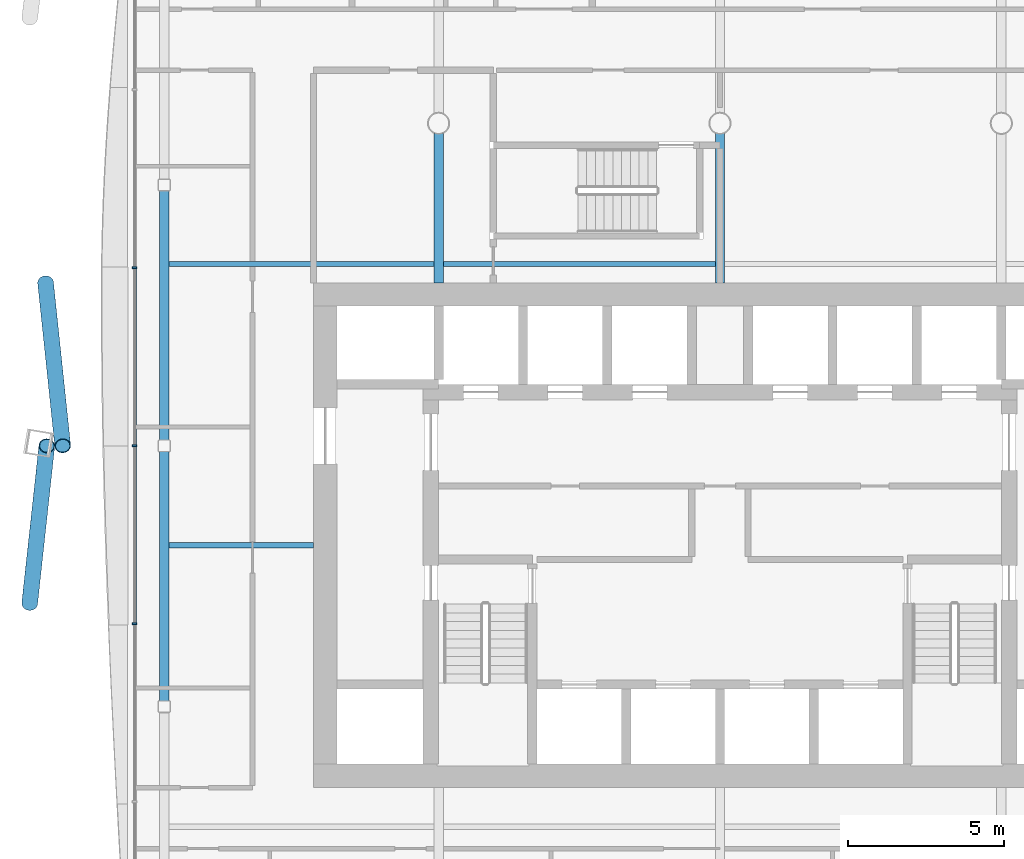
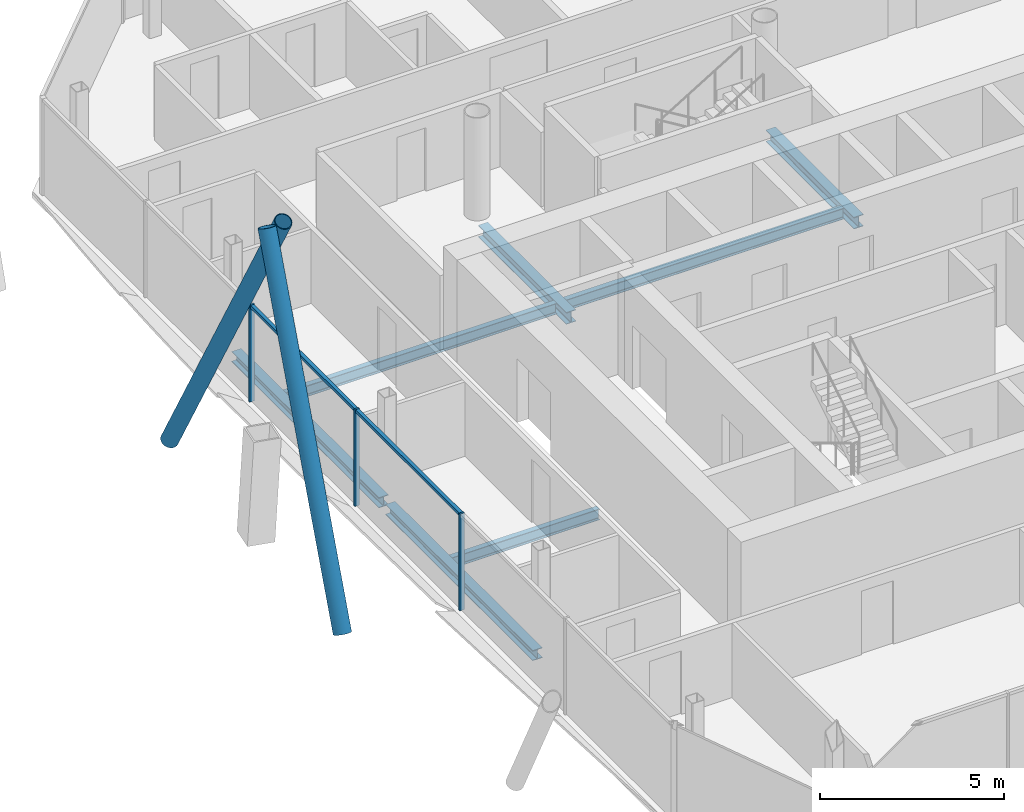
# One storey, part 6 of 20: 7 beams, 7 members, 1 element without a shape of its own.
"""IFC4 building model written with IfcOpenShell, lengths in metres."""

from ifc_helpers import new_model, si_unit, direction, frame, origin, origin_2d, place, context, subcontext, project, spatial, rectangle, hollow_circle, i_section, extrude, material, material_profile, profile_set, type_object, element, aggregate, save


model = new_model("IFC4")

# Units and contexts
model_context = context("Model", 3, precision=1e-05, world=origin(), true_north=direction((0.0, 1.0)))
body_context = subcontext(model_context, "Body", "Model", "MODEL_VIEW")
ifc_project = project(units=[si_unit("LENGTHUNIT", "METRE"), si_unit("AREAUNIT", "SQUARE_METRE"), si_unit("VOLUMEUNIT", "CUBIC_METRE"), si_unit("PLANEANGLEUNIT", "RADIAN"), si_unit("MASSUNIT", "GRAM", prefix="KILO")], contexts=[model_context])

# Site, building, storey
site_placement = place(None, origin())
site = spatial("IfcSite", under=ifc_project, at=site_placement, CompositionType="ELEMENT")
building_placement = place(site_placement, origin())
building = spatial("IfcBuilding", under=site, at=building_placement, Name="Tskaro Facet Tower", CompositionType="ELEMENT")
storey_placement = place(building_placement, frame((0.0, 0.0, 152.10009765625)))
storey = spatial("IfcBuildingStorey", under=building, at=storey_placement, Name="L37", CompositionType="ELEMENT", Elevation=152.10009765625)

# Members
ifc_material_1 = material(Name="Steel S355J2H", Category="steel")
ifc_material_profile_1 = material_profile(ifc_material_1, hollow_circle(Radius=0.25390625, WallThickness=0.02490234375, at=origin_2d()), Name="CHS 508x25")
ifc_profile_set_1 = profile_set([ifc_material_profile_1], Name="Steel S355J2H")
member_type_1 = type_object("IfcMemberType", Name="CHS 508x25 brace", PredefinedType="BRACE", material=ifc_profile_set_1)
member_1_placement = place(storey_placement, frame((-21.56982421875, 3.8974609375, 0.0), z_axis=(0.047771572711, -0.454596329618, 0.889415568752), x_axis=(0.994523811682, 0.104510229157, 0.0)))
element("IfcMember", 1, at=member_1_placement, inside=storey, type_object=member_type_1, Name="CHS 508x25 XB10A/3", PredefinedType="BRACE", context=body_context, shape_type="SweptSolid", body=[
    extrude(hollow_circle(Radius=0.25390625, WallThickness=0.02490234375, at=origin_2d()), origin(), (0.0, 0.0, 1.0), 11.46826171875),
])
member_2_placement = place(storey_placement, frame((-22.07763671875, -6.349853515625, 0.0), z_axis=(0.048087683293, 0.442050798851, 0.89570009822), x_axis=(-0.994135113707, 0.108145160291, 0.0)))
element("IfcMember", 2, at=member_2_placement, inside=storey, type_object=member_type_1, Name="CHS 508x25 XB11B/3", PredefinedType="BRACE", context=body_context, shape_type="SweptSolid", body=[
    extrude(hollow_circle(Radius=0.25390625, WallThickness=0.02490234375, at=origin_2d()), origin(), (0.0, 0.0, 1.0), 11.3876953125),
])

# Curtain wall, members
ifc_material_2 = material(Name="Bronze anodised aluminium 6063-T6", Category="aluminium")
curtain_wall_type = type_object("IfcCurtainWallType", Name="Bronze hotel curtain wall (FW2)", PredefinedType="NOTDEFINED", material=ifc_material_2)
curtain_wall_placement = place(storey_placement, origin())
curtain_wall = element("IfcCurtainWall", 3, at=curtain_wall_placement, inside=storey, type_object=curtain_wall_type, Name="FW2 west facet L37", PredefinedType="NOTDEFINED")
ifc_material_profile_2 = material_profile(ifc_material_2, rectangle(XDim=0.06005859375, YDim=0.14990234375, at=origin_2d()), Name="Mullion 60x150")
ifc_profile_set_2 = profile_set([ifc_material_profile_2], Name="Bronze anodised aluminium 6063-T6")
member_type_2 = type_object("IfcMemberType", Name="FW2 bronze mullion 60x150", PredefinedType="MULLION", material=ifc_profile_set_2)
member_3_placement = place(storey_placement, frame((-18.72412109375, 4.376708984375, 0.0), z_axis=(0.0, 0.0, 1.0), x_axis=(0.0, -1.0, 0.0)))
member_3 = element("IfcMember", 4, at=member_3_placement, type_object=member_type_2, Name="FW2 west mullion 2", PredefinedType="MULLION", context=body_context, shape_type="SweptSolid", body=[
    extrude(rectangle(XDim=0.06005859375, YDim=0.14990234375, at=origin_2d()), origin(), (0.0, 0.0, 1.0), 3.199951171875),
])
member_4_placement = place(storey_placement, frame((-18.72412109375, -1.3154296875, 0.0), z_axis=(0.0, 0.0, 1.0), x_axis=(0.0, -1.0, 0.0)))
member_4 = element("IfcMember", 5, at=member_4_placement, type_object=member_type_2, Name="FW2 west mullion 3", PredefinedType="MULLION", context=body_context, shape_type="SweptSolid", body=[
    extrude(rectangle(XDim=0.06005859375, YDim=0.14990234375, at=origin_2d()), origin(), (0.0, 0.0, 1.0), 3.199951171875),
])
member_5_placement = place(storey_placement, frame((-18.72412109375, -7.007568359375, 0.0), z_axis=(0.0, 0.0, 1.0), x_axis=(0.0, -1.0, 0.0)))
member_5 = element("IfcMember", 6, at=member_5_placement, type_object=member_type_2, Name="FW2 west mullion 4", PredefinedType="MULLION", context=body_context, shape_type="SweptSolid", body=[
    extrude(rectangle(XDim=0.06005859375, YDim=0.14990234375, at=origin_2d()), origin(), (0.0, 0.0, 1.0), 3.199951171875),
])
ifc_material_profile_3 = material_profile(ifc_material_2, rectangle(XDim=0.110107421875, YDim=0.10009765625, at=origin_2d()), Name="Transom 110x100")
ifc_profile_set_3 = profile_set([ifc_material_profile_3], Name="Bronze anodised aluminium 6063-T6")
member_type_3 = type_object("IfcMemberType", Name="FW2 bronze transom 110x100", PredefinedType="USERDEFINED", material=ifc_profile_set_3)
member_6_placement = place(storey_placement, frame((-18.72412109375, 4.3466796875, 3.14990234375), z_axis=(0.0, -1.0, 0.0), x_axis=(1.0, 0.0, 0.0)))
member_6 = element("IfcMember", 7, at=member_6_placement, type_object=member_type_3, Name="FW2 west transom 3.1", ObjectType="TRANSOM", PredefinedType="USERDEFINED", context=body_context, shape_type="SweptSolid", body=[
    extrude(rectangle(XDim=0.110107421875, YDim=0.10009765625, at=origin_2d()), origin(), (0.0, 0.0, 1.0), 5.632080078125),
])
member_7_placement = place(storey_placement, frame((-18.72412109375, -1.345458984375, 3.14990234375), z_axis=(0.0, -1.0, 0.0), x_axis=(1.0, 0.0, 0.0)))
member_7 = element("IfcMember", 8, at=member_7_placement, type_object=member_type_3, Name="FW2 west transom 4.1", ObjectType="TRANSOM", PredefinedType="USERDEFINED", context=body_context, shape_type="SweptSolid", body=[
    extrude(rectangle(XDim=0.110107421875, YDim=0.10009765625, at=origin_2d()), origin(), (0.0, 0.0, 1.0), 5.63232421875),
])
aggregate(curtain_wall, [member_3, member_4, member_5, member_6, member_7])

# Beams
ifc_material_3 = material(Name="Steel S355J2", Category="steel")
ifc_material_profile_4 = material_profile(ifc_material_3, i_section(OverallWidth=0.300048828125, OverallDepth=0.340087890625, WebThickness=0.011962890625, FlangeThickness=0.021484375, FilletRadius=0.027099609375, at=origin_2d()), Name="HE 340 B")
ifc_profile_set_4 = profile_set([ifc_material_profile_4], Name="Steel S355J2")
beam_type_1 = type_object("IfcBeamType", Name="HE 340 B ring beam", PredefinedType="BEAM", material=ifc_profile_set_4)
beam_1_placement = place(storey_placement, frame((-17.77392578125, 6.845947265625, -0.31005859375), z_axis=(0.0, -1.0, 0.0), x_axis=(1.0, 0.0, 0.0)))
element("IfcBeam", 9, at=beam_1_placement, inside=storey, type_object=beam_type_1, Name="HE 340 B EB17-3", PredefinedType="BEAM", context=body_context, shape_type="SweptSolid", body=[
    extrude(i_section(OverallWidth=0.300048828125, OverallDepth=0.340087890625, WebThickness=0.011962890625, FlangeThickness=0.021484375, FilletRadius=0.027099609375, at=origin_2d()), origin(), (0.0, 0.0, 1.0), 7.98095703125),
])
beam_2_placement = place(storey_placement, frame((-17.77392578125, -1.4951171875, -0.31005859375), z_axis=(0.0, -1.0, 0.0), x_axis=(1.0, 0.0, 0.0)))
element("IfcBeam", 10, at=beam_2_placement, inside=storey, type_object=beam_type_1, Name="HE 340 B EB18-3", PredefinedType="BEAM", context=body_context, shape_type="SweptSolid", body=[
    extrude(i_section(OverallWidth=0.300048828125, OverallDepth=0.340087890625, WebThickness=0.011962890625, FlangeThickness=0.021484375, FilletRadius=0.027099609375, at=origin_2d()), origin(), (0.0, 0.0, 1.0), 7.98193359375),
])
ifc_material_profile_5 = material_profile(ifc_material_3, i_section(OverallWidth=0.300048828125, OverallDepth=0.389892578125, WebThickness=0.010986328125, FlangeThickness=0.01904296875, FilletRadius=0.027099609375, at=origin_2d()), Name="HE 400 A")
ifc_profile_set_5 = profile_set([ifc_material_profile_5], Name="Steel S355J2")
beam_type_2 = type_object("IfcBeamType", Name="HE 400 A girder", PredefinedType="BEAM", material=ifc_profile_set_5)
for number, where, z_axis, x_axis, name in (
    (11, (-9.0, 3.89990234375, -0.335205078125), (0.0, 1.0, 0.0), (-1.0, 0.0, 0.0), "HE 400 A GB3-2-3"),
    (12, (0.0, 3.89990234375, -0.335205078125), (0.0, 1.0, 0.0), (-1.0, 0.0, 0.0), "HE 400 A GB4-2-3"),
):
    element("IfcBeam", number, at=place(storey_placement, frame(where, z_axis=z_axis, x_axis=x_axis)), inside=storey, type_object=beam_type_2, Name=name, PredefinedType="BEAM", context=body_context, shape_type="SweptSolid", body=[
        extrude(i_section(OverallWidth=0.300048828125, OverallDepth=0.389892578125, WebThickness=0.010986328125, FlangeThickness=0.01904296875, FilletRadius=0.027099609375, at=origin_2d()), origin(), (0.0, 0.0, 1.0), 4.774658203125),
    ])
ifc_material_profile_6 = material_profile(ifc_material_3, i_section(OverallWidth=0.169921875, OverallDepth=0.360107421875, WebThickness=0.008056640625, FlangeThickness=0.0126953125, FilletRadius=0.01806640625, at=origin_2d()), Name="IPE 360")
ifc_profile_set_6 = profile_set([ifc_material_profile_6], Name="Steel S355J2")
beam_type_3 = type_object("IfcBeamType", Name="IPE 360 secondary beam", PredefinedType="BEAM", material=ifc_profile_set_6)
beam_3_placement = place(storey_placement, frame((-17.6240234375, -4.5, -0.320068359375), z_axis=(1.0, 0.0, 0.0), x_axis=(0.0, 1.0, 0.0)))
element("IfcBeam", 13, at=beam_3_placement, inside=storey, type_object=beam_type_3, Name="IPE 360 SB3a-1-3", PredefinedType="BEAM", context=body_context, shape_type="SweptSolid", body=[
    extrude(i_section(OverallWidth=0.169921875, OverallDepth=0.360107421875, WebThickness=0.008056640625, FlangeThickness=0.0126953125, FilletRadius=0.01806640625, at=origin_2d()), origin(), (0.0, 0.0, 1.0), 4.6240234375),
])
beam_4_placement = place(storey_placement, frame((-17.6240234375, 4.5, -0.320068359375), z_axis=(1.0, 0.0, 0.0), x_axis=(0.0, 1.0, 0.0)))
element("IfcBeam", 14, at=beam_4_placement, inside=storey, type_object=beam_type_3, Name="IPE 360 SB4a-1-3", PredefinedType="BEAM", context=body_context, shape_type="SweptSolid", body=[
    extrude(i_section(OverallWidth=0.169921875, OverallDepth=0.360107421875, WebThickness=0.008056640625, FlangeThickness=0.0126953125, FilletRadius=0.01806640625, at=origin_2d()), origin(), (0.0, 0.0, 1.0), 8.47412109375),
])
beam_5_placement = place(storey_placement, frame((-8.85009765625, 4.5, -0.320068359375), z_axis=(1.0, 0.0, 0.0), x_axis=(0.0, 1.0, 0.0)))
element("IfcBeam", 15, at=beam_5_placement, inside=storey, type_object=beam_type_3, Name="IPE 360 SB4a-2-3", PredefinedType="BEAM", context=body_context, shape_type="SweptSolid", body=[
    extrude(i_section(OverallWidth=0.169921875, OverallDepth=0.360107421875, WebThickness=0.008056640625, FlangeThickness=0.0126953125, FilletRadius=0.01806640625, at=origin_2d()), origin(), (0.0, 0.0, 1.0), 8.7001953125),
])

save(model, "model.ifc")
